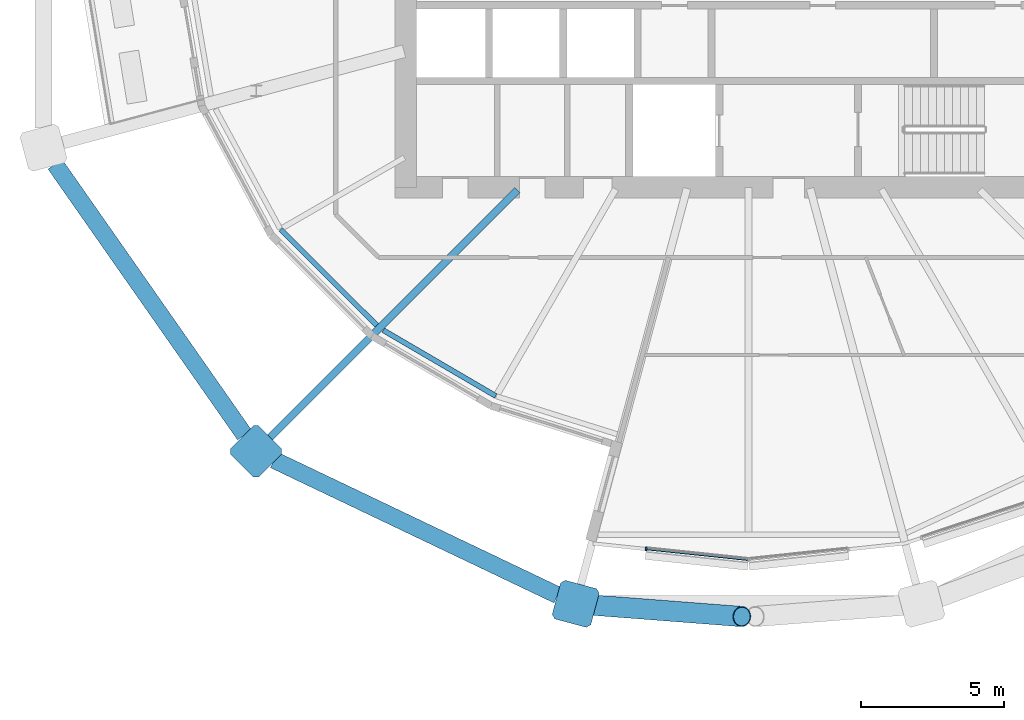
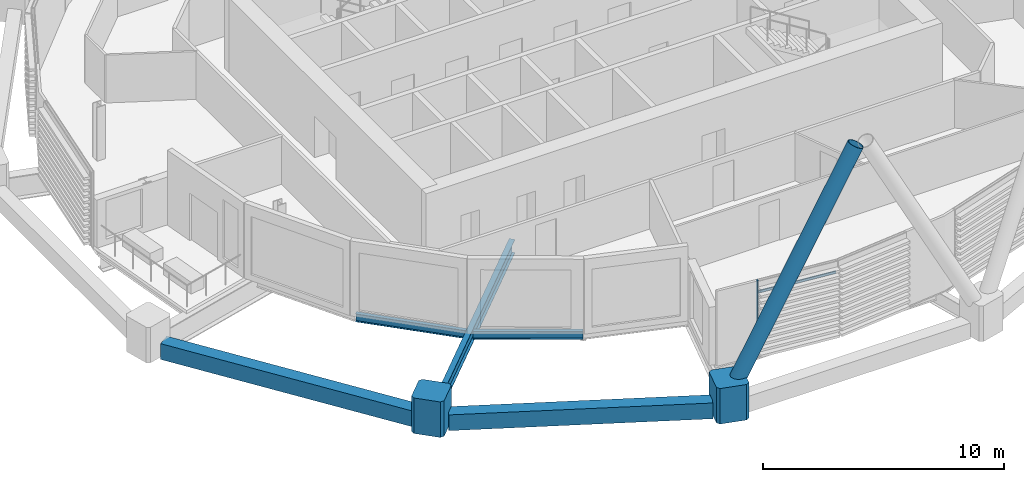
# One storey, part 3 of 38: 5 beams, 5 members, 1 element without a shape of its own.
"""IFC4 building model written with IfcOpenShell, lengths in metres."""

from ifc_helpers import new_model, si_unit, direction, frame, origin, origin_2d, place, context, subcontext, project, spatial, polyline, rectangle, hollow_rectangle, hollow_circle, i_section, outline, extrude, material, material_profile, profile_set, type_object, element, aggregate, save


model = new_model("IFC4")

# Units and contexts
model_context = context("Model", 3, precision=1e-05, world=origin(), true_north=direction((0.0, 1.0)))
body_context = subcontext(model_context, "Body", "Model", "MODEL_VIEW")
ifc_project = project(units=[si_unit("LENGTHUNIT", "METRE"), si_unit("AREAUNIT", "SQUARE_METRE"), si_unit("VOLUMEUNIT", "CUBIC_METRE"), si_unit("PLANEANGLEUNIT", "RADIAN"), si_unit("MASSUNIT", "GRAM", prefix="KILO")], contexts=[model_context])

# Site, building, storey
site_placement = place(None, origin())
site = spatial("IfcSite", under=ifc_project, at=site_placement, CompositionType="ELEMENT")
building_placement = place(site_placement, origin())
building = spatial("IfcBuilding", under=site, at=building_placement, Name="Rimbun Link Towers", CompositionType="ELEMENT")
storey_placement = place(building_placement, frame((0.0, 0.0, 93.0)))
storey = spatial("IfcBuildingStorey", under=building, at=storey_placement, Name="L22", CompositionType="ELEMENT", Elevation=93.0)

# Curtain wall, members
ifc_material_1 = material(Name="Aluminium 6063-T6 and low-iron glass", Category="aluminium")
curtain_wall_type = type_object("IfcCurtainWallType", Name="CW1-Z2 unitised vision wall (zone 2)", PredefinedType="NOTDEFINED", material=ifc_material_1)
curtain_wall_placement = place(storey_placement, origin())
curtain_wall = element("IfcCurtainWall", 1, at=curtain_wall_placement, inside=storey, type_object=curtain_wall_type, Name="CW1 L22 T1", PredefinedType="NOTDEFINED")
ifc_material_2 = material(Name="Aluminium 6063-T6", Category="aluminium")
ifc_material_profile_1 = material_profile(ifc_material_2, rectangle(XDim=0.1201171875, YDim=0.06005859375, at=origin_2d()), Name="MULLION 60X120")
ifc_profile_set_1 = profile_set([ifc_material_profile_1], Name="Aluminium 6063-T6")
member_type_1 = type_object("IfcMemberType", Name="CW1 mullion 60X120", PredefinedType="MULLION", material=ifc_profile_set_1)
member_1_placement = place(storey_placement, frame((-35.333251953125, -20.659912109375, 0.0), z_axis=(0.0, 0.0, 1.0), x_axis=(-0.104734976112, -0.994500168315, 0.0)))
member_1 = element("IfcMember", 2, at=member_1_placement, type_object=member_type_1, Name="CW1 mullion", PredefinedType="MULLION", context=body_context, shape_type="SweptSolid", body=[
    extrude(rectangle(XDim=0.1201171875, YDim=0.06005859375, at=origin_2d()), origin(), (0.0, 0.0, 1.0), 3.800048828125),
])
ifc_material_3 = material(Name="Aluminium 6063-T6", Category="aluminium")
ifc_material_profile_2 = material_profile(ifc_material_3, rectangle(XDim=0.06005859375, YDim=0.1201171875, at=origin_2d()), Name="TRANSOM 60X120")
ifc_profile_set_2 = profile_set([ifc_material_profile_2], Name="Aluminium 6063-T6")
member_type_2 = type_object("IfcMemberType", Name="CW1 transom 60X120", PredefinedType="USERDEFINED", material=ifc_profile_set_2)
member_2_placement = place(storey_placement, frame((-31.785888671875, -21.031494140625, 3.199951171875), z_axis=(-0.994502048221, 0.104717124117, 0.0), x_axis=(-0.104717124117, -0.994502048221, 0.0)))
member_2 = element("IfcMember", 3, at=member_2_placement, type_object=member_type_2, Name="CW1 transom", ObjectType="TRANSOM", PredefinedType="USERDEFINED", context=body_context, shape_type="SweptSolid", body=[
    extrude(rectangle(XDim=0.06005859375, YDim=0.1201171875, at=origin_2d()), origin(), (0.0, 0.0, 1.0), 3.536865234375),
])
aggregate(curtain_wall, [member_1, member_2])

# Members
ifc_material_4 = material(Name="Steel S460NH", Category="steel")
ifc_material_profile_3 = material_profile(ifc_material_4, hollow_circle(Radius=0.355712890625, WallThickness=0.031982421875, at=origin_2d()), Name="Diagrid diagonal CHS 711x32")
ifc_profile_set_3 = profile_set([ifc_material_profile_3], Name="Steel S460NH")
member_type_3 = type_object("IfcMemberType", Name="Diagrid diagonal CHS 711x32", PredefinedType="BRACE", material=ifc_profile_set_3)
member_3_placement = place(storey_placement, frame((-37.564697265625, -22.592529296875, 0.44140625), z_axis=(0.468418530973, -0.035882441497, 0.882777735465), x_axis=(0.076379604456, 0.99707881134, 0.0)))
element("IfcMember", 4, at=member_3_placement, inside=storey, type_object=member_type_3, Name="Diagrid diagonal T1 L22-L25 17b", PredefinedType="BRACE", context=body_context, shape_type="SweptSolid", body=[
    extrude(hollow_circle(Radius=0.355712890625, WallThickness=0.031982421875, at=origin_2d()), origin(), (0.0, 0.0, 1.0), 11.91357421875),
])
ifc_material_5 = material(Name="Cast steel G20Mn5+QT, Rp0.2 300 MPa", Category="steel")
ifc_material_profile_4 = material_profile(ifc_material_5, outline(polyline([(0.699951171875, -0.570068359375), (0.699951171875, 0.570068359375), (0.570068359375, 0.699951171875), (-0.570068359375, 0.699951171875), (-0.699951171875, 0.570068359375), (-0.699951171875, -0.570068359375), (-0.570068359375, -0.699951171875), (0.570068359375, -0.699951171875), (0.699951171875, -0.570068359375)])), Name="NODE 1400x1400")
ifc_profile_set_4 = profile_set([ifc_material_profile_4], Name="Cast steel G20Mn5+QT, Rp0.2 300 MPa")
member_type_4 = type_object("IfcMemberType", Name="Diagrid node cast 1400", PredefinedType="USERDEFINED", material=ifc_profile_set_4)
for number, where, z_axis, x_axis, name in (
    (5, (-48.988525390625, -17.238525390625, -0.89990234375), (0.0, 0.0, 1.0), (-0.707106781187, -0.707106781187, 0.0), "Diagrid node L22 15"),
    (6, (-37.798828125, -22.57470703125, -0.89990234375), (0.0, 0.0, 1.0), (-0.258819045103, -0.965925826289, 0.0), "Diagrid node L22 17"),
):
    element("IfcMember", number, at=place(storey_placement, frame(where, z_axis=z_axis, x_axis=x_axis)), inside=storey, type_object=member_type_4, Name=name, ObjectType="Diagrid node", PredefinedType="USERDEFINED", context=body_context, shape_type="SweptSolid", body=[
        extrude(outline(polyline([(0.699951171875, -0.570068359375), (0.699951171875, 0.570068359375), (0.570068359375, 0.699951171875), (-0.570068359375, 0.699951171875), (-0.699951171875, 0.570068359375), (-0.699951171875, -0.570068359375), (-0.570068359375, -0.699951171875), (0.570068359375, -0.699951171875), (0.699951171875, -0.570068359375)])), origin(), (0.0, 0.0, 1.0), 1.7998046875),
    ])

# Beams
ifc_material_6 = material(Name="Steel S355J2", Category="steel")
ifc_material_profile_5 = material_profile(ifc_material_6, hollow_rectangle(XDim=0.60009765625, YDim=0.800048828125, WallThickness=0.0400390625, at=origin_2d()), Name="Exoskeleton ring girder BOX 600x800x40")
ifc_profile_set_5 = profile_set([ifc_material_profile_5], Name="Steel S355J2")
beam_type_1 = type_object("IfcBeamType", Name="Exoskeleton ring girder BOX 600x800x40", PredefinedType="BEAM", material=ifc_profile_set_5)
beam_1_placement = place(storey_placement, frame((-56.024658203125, -7.185302734375, -0.56005859375), z_axis=(0.573401451452, -0.819274542185, 0.0), x_axis=(0.819274542185, 0.573401451452, 0.0)))
element("IfcBeam", 7, at=beam_1_placement, inside=storey, type_object=beam_type_1, Name="Exoskeleton ring girder L22 06", PredefinedType="BEAM", context=body_context, shape_type="SweptSolid", body=[
    extrude(hollow_rectangle(XDim=0.60009765625, YDim=0.800048828125, WallThickness=0.0400390625, at=origin_2d()), origin(), (0.0, 0.0, 1.0), 11.57080078125),
])
beam_2_placement = place(storey_placement, frame((-48.356689453125, -17.539794921875, -0.56005859375), z_axis=(0.902623188498, -0.430431620105, 0.0), x_axis=(0.430431620105, 0.902623188498, 0.0)))
element("IfcBeam", 8, at=beam_2_placement, inside=storey, type_object=beam_type_1, Name="Exoskeleton ring girder L22 07", PredefinedType="BEAM", context=body_context, shape_type="SweptSolid", body=[
    extrude(hollow_rectangle(XDim=0.60009765625, YDim=0.800048828125, WallThickness=0.0400390625, at=origin_2d()), origin(), (0.0, 0.0, 1.0), 10.996826171875),
])
ifc_material_7 = material(Name="Steel S355J2", Category="steel")
ifc_material_profile_6 = material_profile(ifc_material_7, i_section(OverallWidth=0.177978515625, OverallDepth=0.406494140625, WebThickness=0.0078125, FlangeThickness=0.0126953125, at=origin_2d()), Name="UB 406x178x60")
ifc_profile_set_6 = profile_set([ifc_material_profile_6], Name="Steel S355J2")
beam_type_2 = type_object("IfcBeamType", Name="UB 406x178x60", PredefinedType="BEAM", material=ifc_profile_set_6)
beam_3_placement = place(storey_placement, frame((-48.127197265625, -9.470947265625, -0.36328125), z_axis=(0.708081568756, -0.70613064796, 0.0), x_axis=(0.70613064796, 0.708081568756, 0.0)))
element("IfcBeam", 9, at=beam_3_placement, inside=storey, type_object=beam_type_2, Name="Edge beam T1 L22 14 recess", PredefinedType="BEAM", context=body_context, shape_type="SweptSolid", body=[
    extrude(i_section(OverallWidth=0.177978515625, OverallDepth=0.406494140625, WebThickness=0.0078125, FlangeThickness=0.0126953125, at=origin_2d()), origin(), (0.0, 0.0, 1.0), 4.75537109375),
])
beam_4_placement = place(storey_placement, frame((-44.53515625, -12.997802734375, -0.36328125), z_axis=(0.863287468071, -0.504712539444, 0.0), x_axis=(0.504712539444, 0.863287468071, 0.0)))
element("IfcBeam", 10, at=beam_4_placement, inside=storey, type_object=beam_type_2, Name="Edge beam T1 L22 15 recess", PredefinedType="BEAM", context=body_context, shape_type="SweptSolid", body=[
    extrude(i_section(OverallWidth=0.177978515625, OverallDepth=0.406494140625, WebThickness=0.0078125, FlangeThickness=0.0126953125, at=origin_2d()), origin(), (0.0, 0.0, 1.0), 4.5625),
])
ifc_material_8 = material(Name="Steel S355J2", Category="steel")
ifc_material_profile_7 = material_profile(ifc_material_8, i_section(OverallWidth=0.253662109375, OverallDepth=0.68359375, WebThickness=0.012451171875, FlangeThickness=0.01904296875, at=origin_2d()), Name="UB 686x254x140")
ifc_profile_set_7 = profile_set([ifc_material_profile_7], Name="Steel S355J2")
beam_type_3 = type_object("IfcBeamType", Name="UB 686x254x140", PredefinedType="BEAM", material=ifc_profile_set_7)
beam_5_placement = place(storey_placement, frame((-39.84033203125, -8.09033203125, -0.501708984375), z_axis=(-0.707106781187, -0.707106781187, 0.0), x_axis=(0.707106781187, -0.707106781187, 0.0)))
element("IfcBeam", 11, at=beam_5_placement, inside=storey, type_object=beam_type_3, Name="Radial beam T1 L22 15", PredefinedType="BEAM", context=body_context, shape_type="SweptSolid", body=[
    extrude(i_section(OverallWidth=0.253662109375, OverallDepth=0.68359375, WebThickness=0.012451171875, FlangeThickness=0.01904296875, at=origin_2d()), origin(), (0.0, 0.0, 1.0), 12.4375),
])

save(model, "model.ifc")
